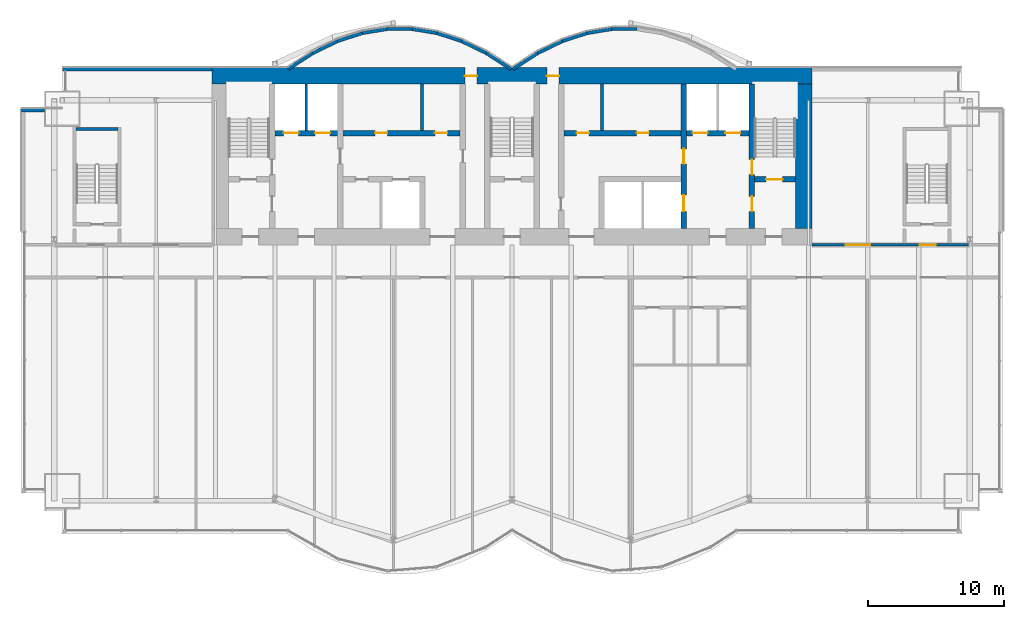
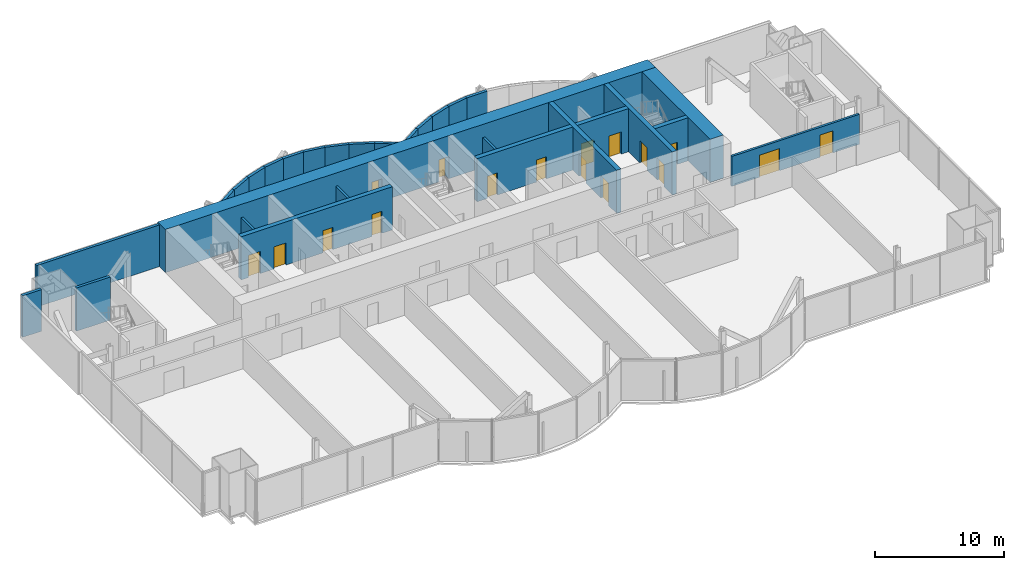
# One storey, part 17 of 21: 28 walls, 17 doors, 17 openings.
"""IFC4 building model written with IfcOpenShell, lengths in metres."""

from ifc_helpers import new_model, si_unit, direction, frame, frame_2d, origin, place, context, subcontext, project, spatial, rectangle, extrude, material, layer, layer_set, layer_usage, type_object, element, fill, save


model = new_model("IFC4")

# Units and contexts
model_context = context("Model", 3, precision=1e-05, world=origin(), true_north=direction((0.0, 1.0)))
body_context = subcontext(model_context, "Body", "Model", "MODEL_VIEW")
ifc_project = project(units=[si_unit("LENGTHUNIT", "METRE"), si_unit("AREAUNIT", "SQUARE_METRE"), si_unit("VOLUMEUNIT", "CUBIC_METRE"), si_unit("PLANEANGLEUNIT", "RADIAN"), si_unit("MASSUNIT", "GRAM", prefix="KILO")], contexts=[model_context])

# Site, building, storey
site_placement = place(None, origin())
site = spatial("IfcSite", under=ifc_project, at=site_placement, CompositionType="ELEMENT")
building_placement = place(site_placement, origin())
building = spatial("IfcBuilding", under=site, at=building_placement, Name="Bicima Exchange Tower", CompositionType="ELEMENT")
storey_placement = place(building_placement, frame((0.0, 0.0, 173.199951171875)))
storey = spatial("IfcBuildingStorey", under=building, at=storey_placement, Name="L38", CompositionType="ELEMENT", Elevation=173.199951171875)

# Wall
ifc_material_1 = material(Name="Gypsum board partition")
ifc_layer_1 = layer(ifc_material_1, 0.199951171875)
ifc_layer_set_1 = layer_set([ifc_layer_1], Name="Gypsum board partition")
wall_type_1 = type_object("IfcWallType", Name="Fire-rated gypsum partition 200 EI120", PredefinedType="PARTITIONING", material=ifc_layer_set_1)
wall_1_placement = place(storey_placement, frame((-15.10009765625, -4.60009765625, 0.0), z_axis=(0.0, 0.0, 1.0), x_axis=(0.0, 1.0, 0.0)))
element("IfcWall", 1, at=wall_1_placement, inside=storey, type_object=wall_type_1, Name="partition wall 9", PredefinedType="PARTITIONING", context=body_context, shape_type="SweptSolid", body=[
    extrude(rectangle(XDim=3.400146484375, YDim=0.199951171875, at=frame_2d((1.7001953125, 0.0))), origin(), (0.0, 0.0, 1.0), 2.84033203125),
])

# Wall, openings, doors
ifc_layer_2 = layer(ifc_material_1, 0.199951171875)
ifc_layer_set_2 = layer_set([ifc_layer_2], Name="Gypsum board partition")
wall_type_2 = type_object("IfcWallType", Name="Fire-rated gypsum partition 200 EI60", PredefinedType="PARTITIONING", material=ifc_layer_set_2)
wall_2_placement = place(storey_placement, frame((22.0, -13.0, 0.0), z_axis=(0.0, 0.0, 1.0), x_axis=(1.0, 0.0, 0.0)))
wall_2 = element("IfcWall", 2, at=wall_2_placement, inside=storey, type_object=wall_type_2, Name="partition wall 6", PredefinedType="PARTITIONING", context=body_context, shape_type="SweptSolid", body=[
    extrude(rectangle(XDim=11.47998046875, YDim=0.199951171875, at=frame_2d((5.739990234375, 0.0))), origin(), (0.0, 0.0, 1.0), 2.84033203125),
])
opening_1_placement = place(wall_2_placement, frame((7.89990234375, 0.0, 0.0)))
opening_1 = element("IfcOpeningElement", 3, at=opening_1_placement, cuts=wall_2, Name="Opening L38-003", PredefinedType="OPENING", context=body_context, shape_type="SweptSolid", body=[
    extrude(rectangle(XDim=1.199951171875, YDim=2.10009765625, at=frame_2d((0.60009765625, 1.050048828125))), frame((0.0, 0.11181640625, 0.0), z_axis=(0.0, -1.0, 0.0), x_axis=(1.0, 0.0, 0.0)), (0.0, 0.0, 1.0), 0.223876953125),
])
opening_2_placement = place(wall_2_placement, frame((2.5, 0.0, 0.0)))
opening_2 = element("IfcOpeningElement", 4, at=opening_2_placement, cuts=wall_2, Name="Opening L38-006", PredefinedType="OPENING", context=body_context, shape_type="SweptSolid", body=[
    extrude(rectangle(XDim=1.800048828125, YDim=2.10009765625, at=frame_2d((0.89990234375, 1.050048828125))), frame((0.0, 0.11181640625, 0.0), z_axis=(0.0, -1.0, 0.0), x_axis=(1.0, 0.0, 0.0)), (0.0, 0.0, 1.0), 0.223876953125),
])
ifc_material_2 = material(Name="Steel fire door leaf", Category="steel")
door_type_1 = type_object("IfcDoorType", Name="Door 1200 swing FD30S", OperationType="SINGLE_SWING_LEFT", PredefinedType="DOOR", material=ifc_material_2)
door_1_placement = place(opening_1_placement, origin())
door_1 = element("IfcDoor", 5, at=door_1_placement, inside=storey, type_object=door_type_1, Name="Door", OperationType="SINGLE_SWING_RIGHT", OverallHeight=2.10009765625, OverallWidth=1.199951171875, PredefinedType="DOOR", context=body_context, shape_type="SweptSolid", body=[
    extrude(rectangle(XDim=1.199951171875, YDim=2.10009765625, at=frame_2d((0.60009765625, 1.050048828125))), frame((0.0, 0.02490234375, 0.0), z_axis=(0.0, -1.0, 0.0), x_axis=(1.0, 0.0, 0.0)), (0.0, 0.0, 1.0), 0.050048828125),
])
fill(opening_1, door_1)
door_type_2 = type_object("IfcDoorType", Name="Door 1800 double swing FD30S", OperationType="DOUBLE_DOOR_SINGLE_SWING", PredefinedType="DOOR", material=ifc_material_2)
door_2_placement = place(opening_2_placement, origin())
door_2 = element("IfcDoor", 6, at=door_2_placement, inside=storey, type_object=door_type_2, Name="Door", OperationType="SINGLE_SWING_LEFT", OverallHeight=2.10009765625, OverallWidth=1.800048828125, PredefinedType="DOOR", context=body_context, shape_type="SweptSolid", body=[
    extrude(rectangle(XDim=1.800048828125, YDim=2.10009765625, at=frame_2d((0.89990234375, 1.050048828125))), frame((0.0, 0.02490234375, 0.0), z_axis=(0.0, -1.0, 0.0), x_axis=(1.0, 0.0, 0.0)), (0.0, 0.0, 1.0), 0.050048828125),
])
fill(opening_2, door_2)

# Walls
for number, where, z_axis, x_axis, name in (
    (7, (-6.60009765625, -4.60009765625, 0.0), (0.0, 0.0, 1.0), (0.0, 1.0, 0.0), "partition wall 13"),
    (8, (6.60009765625, -4.60009765625, 0.0), (0.0, 0.0, 1.0), (0.0, 1.0, 0.0), "partition wall 19"),
):
    element("IfcWall", number, at=place(storey_placement, frame(where, z_axis=z_axis, x_axis=x_axis)), inside=storey, type_object=wall_type_2, Name=name, PredefinedType="PARTITIONING", context=body_context, shape_type="SweptSolid", body=[
        extrude(rectangle(XDim=3.400146484375, YDim=0.199951171875, at=frame_2d((1.7001953125, 0.0))), origin(), (0.0, 0.0, 1.0), 2.84033203125),
    ])

# Wall, openings, doors
ifc_material_3 = material(Name="Concrete C50/60", Category="concrete")
ifc_layer_3 = layer(ifc_material_3, 1.199951171875)
ifc_layer_set_3 = layer_set([ifc_layer_3], Name="Concrete C50/60")
wall_type_3 = type_object("IfcWallType", Name="RC core wall 1200 C50/60", PredefinedType="SHEAR", material=ifc_layer_set_3)
wall_3_placement = place(storey_placement, frame((-22.0, -0.60009765625, 0.0), z_axis=(0.0, 0.0, 1.0), x_axis=(1.0, 0.0, 0.0)))
wall_3 = element("IfcWall", 9, at=wall_3_placement, inside=storey, type_object=wall_type_3, Name="Core wall north", PredefinedType="SHEAR", context=body_context, shape_type="SweptSolid", body=[
    extrude(rectangle(XDim=44.0, YDim=1.199951171875, at=frame_2d((22.0, 0.0))), origin(), (0.0, 0.0, 1.0), 4.10009765625),
])
opening_3_placement = place(wall_3_placement, frame((18.550048828125, 0.0, 0.0)))
opening_3 = element("IfcOpeningElement", 10, at=opening_3_placement, cuts=wall_3, Name="Opening L38-C17", PredefinedType="OPENING", context=body_context, shape_type="SweptSolid", body=[
    extrude(rectangle(XDim=0.89990234375, YDim=2.10009765625, at=frame_2d((0.449951171875, 1.050048828125))), frame((0.0, 0.61181640625, 0.0), z_axis=(0.0, -1.0, 0.0), x_axis=(1.0, 0.0, 0.0)), (0.0, 0.0, 1.0), 1.223876953125),
])
opening_4_placement = place(wall_3_placement, frame((24.550048828125, 0.0, 0.0)))
opening_4 = element("IfcOpeningElement", 11, at=opening_4_placement, cuts=wall_3, Name="Opening L38-C18", PredefinedType="OPENING", context=body_context, shape_type="SweptSolid", body=[
    extrude(rectangle(XDim=0.89990234375, YDim=2.10009765625, at=frame_2d((0.449951171875, 1.050048828125))), frame((0.0, 0.61181640625, 0.0), z_axis=(0.0, -1.0, 0.0), x_axis=(1.0, 0.0, 0.0)), (0.0, 0.0, 1.0), 1.223876953125),
])
door_type_3 = type_object("IfcDoorType", Name="Door 900 swing FD30S", OperationType="SINGLE_SWING_LEFT", PredefinedType="DOOR", material=ifc_material_2)
door_3_placement = place(opening_3_placement, origin())
door_3 = element("IfcDoor", 12, at=door_3_placement, inside=storey, type_object=door_type_3, Name="Core door", OperationType="SINGLE_SWING_LEFT", OverallHeight=2.10009765625, OverallWidth=0.89990234375, PredefinedType="DOOR", context=body_context, shape_type="SweptSolid", body=[
    extrude(rectangle(XDim=0.89990234375, YDim=2.10009765625, at=frame_2d((0.449951171875, 1.050048828125))), frame((0.0, 0.02490234375, 0.0), z_axis=(0.0, -1.0, 0.0), x_axis=(1.0, 0.0, 0.0)), (0.0, 0.0, 1.0), 0.050048828125),
])
fill(opening_3, door_3)
door_4_placement = place(opening_4_placement, origin())
door_4 = element("IfcDoor", 13, at=door_4_placement, inside=storey, type_object=door_type_3, Name="Core door", OperationType="SINGLE_SWING_LEFT", OverallHeight=2.10009765625, OverallWidth=0.89990234375, PredefinedType="DOOR", context=body_context, shape_type="SweptSolid", body=[
    extrude(rectangle(XDim=0.89990234375, YDim=2.10009765625, at=frame_2d((0.449951171875, 1.050048828125))), frame((0.0, 0.02490234375, 0.0), z_axis=(0.0, -1.0, 0.0), x_axis=(1.0, 0.0, 0.0)), (0.0, 0.0, 1.0), 0.050048828125),
])
fill(opening_4, door_4)

# Wall
wall_4_placement = place(storey_placement, frame((21.39990234375, -11.800048828125, 0.0), z_axis=(0.0, 0.0, 1.0), x_axis=(0.0, 1.0, 0.0)))
element("IfcWall", 14, at=wall_4_placement, inside=storey, type_object=wall_type_3, Name="Core wall east", PredefinedType="SHEAR", context=body_context, shape_type="SweptSolid", body=[
    extrude(rectangle(XDim=10.60009765625, YDim=1.199951171875, at=frame_2d((5.300048828125, 0.0))), origin(), (0.0, 0.0, 1.0), 4.10009765625),
])

# Wall, opening, door
ifc_layer_4 = layer(ifc_material_3, 0.39990234375)
ifc_layer_set_4 = layer_set([ifc_layer_4], Name="Concrete C50/60")
wall_type_4 = type_object("IfcWallType", Name="RC core wall 400 C50/60", PredefinedType="SHEAR", material=ifc_layer_set_4)
wall_5_placement = place(storey_placement, frame((17.800048828125, -8.199951171875, 0.0), z_axis=(0.0, 0.0, 1.0), x_axis=(1.0, 0.0, 0.0)))
wall_5 = element("IfcWall", 15, at=wall_5_placement, inside=storey, type_object=wall_type_4, Name="stair wall 5", PredefinedType="SHEAR", context=body_context, shape_type="SweptSolid", body=[
    extrude(rectangle(XDim=3.0, YDim=0.39990234375, at=frame_2d((1.5, 0.0))), origin(), (0.0, 0.0, 1.0), 4.10009765625),
])
opening_5_placement = place(wall_5_placement, frame((0.85009765625, 0.0, 0.0)))
opening_5 = element("IfcOpeningElement", 16, at=opening_5_placement, cuts=wall_5, Name="Opening L38-C04", PredefinedType="OPENING", context=body_context, shape_type="SweptSolid", body=[
    extrude(rectangle(XDim=1.199951171875, YDim=2.10009765625, at=frame_2d((0.60009765625, 1.050048828125))), frame((0.0, 0.2119140625, 0.0), z_axis=(0.0, -1.0, 0.0), x_axis=(1.0, 0.0, 0.0)), (0.0, 0.0, 1.0), 0.423828125),
])
door_type_4 = type_object("IfcDoorType", Name="Door 1200 swing FD60S", OperationType="SINGLE_SWING_LEFT", PredefinedType="DOOR", material=ifc_material_2)
door_5_placement = place(opening_5_placement, origin())
door_5 = element("IfcDoor", 17, at=door_5_placement, inside=storey, type_object=door_type_4, Name="Core door", OperationType="SINGLE_SWING_RIGHT", OverallHeight=2.10009765625, OverallWidth=1.199951171875, PredefinedType="DOOR", context=body_context, shape_type="SweptSolid", body=[
    extrude(rectangle(XDim=1.199951171875, YDim=2.10009765625, at=frame_2d((0.60009765625, 1.050048828125))), frame((0.0, 0.02490234375, 0.0), z_axis=(0.0, -1.0, 0.0), x_axis=(1.0, 0.0, 0.0)), (0.0, 0.0, 1.0), 0.050048828125),
])
fill(opening_5, door_5)

# Wall, openings, doors
wall_6_placement = place(storey_placement, frame((-17.39990234375, -4.800048828125, 0.0), z_axis=(0.0, 0.0, 1.0), x_axis=(1.0, 0.0, 0.0)))
wall_6 = element("IfcWall", 18, at=wall_6_placement, inside=storey, type_object=wall_type_4, Name="shear wall 6", PredefinedType="SHEAR", context=body_context, shape_type="SweptSolid", body=[
    extrude(rectangle(XDim=13.599853515625, YDim=0.39990234375, at=frame_2d((6.7998046875, 0.0))), origin(), (0.0, 0.0, 1.0), 4.10009765625),
])
opening_6_placement = place(wall_6_placement, frame((0.64990234375, 0.0, 0.0)))
opening_6 = element("IfcOpeningElement", 19, at=opening_6_placement, cuts=wall_6, Name="Opening LD-FF1-L38", PredefinedType="OPENING", context=body_context, shape_type="SweptSolid", body=[
    extrude(rectangle(XDim=1.10009765625, YDim=2.10009765625, at=frame_2d((0.550048828125, 1.050048828125))), frame((0.0, 0.2119140625, 0.0), z_axis=(0.0, -1.0, 0.0), x_axis=(1.0, 0.0, 0.0)), (0.0, 0.0, 1.0), 0.423828125),
])
opening_7_placement = place(wall_6_placement, frame((2.949951171875, 0.0, 0.0)))
opening_7 = element("IfcOpeningElement", 20, at=opening_7_placement, cuts=wall_6, Name="Opening LD-FF3-L38", PredefinedType="OPENING", context=body_context, shape_type="SweptSolid", body=[
    extrude(rectangle(XDim=1.10009765625, YDim=2.10009765625, at=frame_2d((0.550048828125, 1.050048828125))), frame((0.0, 0.2119140625, 0.0), z_axis=(0.0, -1.0, 0.0), x_axis=(1.0, 0.0, 0.0)), (0.0, 0.0, 1.0), 0.423828125),
])
opening_8_placement = place(wall_6_placement, frame((7.35009765625, 0.0, 0.0)))
opening_8 = element("IfcOpeningElement", 21, at=opening_8_placement, cuts=wall_6, Name="Opening L38-C12", PredefinedType="OPENING", context=body_context, shape_type="SweptSolid", body=[
    extrude(rectangle(XDim=0.89990234375, YDim=2.10009765625, at=frame_2d((0.449951171875, 1.050048828125))), frame((0.0, 0.2119140625, 0.0), z_axis=(0.0, -1.0, 0.0), x_axis=(1.0, 0.0, 0.0)), (0.0, 0.0, 1.0), 0.423828125),
])
opening_9_placement = place(wall_6_placement, frame((11.75, 0.0, 0.0)))
opening_9 = element("IfcOpeningElement", 22, at=opening_9_placement, cuts=wall_6, Name="Opening L38-C13", PredefinedType="OPENING", context=body_context, shape_type="SweptSolid", body=[
    extrude(rectangle(XDim=0.89990234375, YDim=2.10009765625, at=frame_2d((0.449951171875, 1.050048828125))), frame((0.0, 0.2119140625, 0.0), z_axis=(0.0, -1.0, 0.0), x_axis=(1.0, 0.0, 0.0)), (0.0, 0.0, 1.0), 0.423828125),
])
door_6_placement = place(opening_8_placement, origin())
door_6 = element("IfcDoor", 23, at=door_6_placement, inside=storey, type_object=door_type_3, Name="Core door", OperationType="SINGLE_SWING_RIGHT", OverallHeight=2.10009765625, OverallWidth=0.89990234375, PredefinedType="DOOR", context=body_context, shape_type="SweptSolid", body=[
    extrude(rectangle(XDim=0.89990234375, YDim=2.10009765625, at=frame_2d((0.449951171875, 1.050048828125))), frame((0.0, 0.02490234375, 0.0), z_axis=(0.0, -1.0, 0.0), x_axis=(1.0, 0.0, 0.0)), (0.0, 0.0, 1.0), 0.050048828125),
])
fill(opening_8, door_6)
door_7_placement = place(opening_9_placement, origin())
door_7 = element("IfcDoor", 24, at=door_7_placement, inside=storey, type_object=door_type_3, Name="Core door", OperationType="SINGLE_SWING_LEFT", OverallHeight=2.10009765625, OverallWidth=0.89990234375, PredefinedType="DOOR", context=body_context, shape_type="SweptSolid", body=[
    extrude(rectangle(XDim=0.89990234375, YDim=2.10009765625, at=frame_2d((0.449951171875, 1.050048828125))), frame((0.0, 0.02490234375, 0.0), z_axis=(0.0, -1.0, 0.0), x_axis=(1.0, 0.0, 0.0)), (0.0, 0.0, 1.0), 0.050048828125),
])
fill(opening_9, door_7)
ifc_material_4 = material(Name="Stainless steel", Category="steel")
door_type_5 = type_object("IfcDoorType", Name="Lift landing door 1100 sliding", OperationType="DOUBLE_DOOR_SLIDING", PredefinedType="DOOR", material=ifc_material_4)
door_8_placement = place(opening_6_placement, origin())
door_8 = element("IfcDoor", 25, at=door_8_placement, inside=storey, type_object=door_type_5, Name="Lift landing door FF1", OperationType="DOUBLE_DOOR_SLIDING", OverallHeight=2.10009765625, OverallWidth=1.10009765625, PredefinedType="DOOR", context=body_context, shape_type="SweptSolid", body=[
    extrude(rectangle(XDim=1.10009765625, YDim=2.10009765625, at=frame_2d((0.550048828125, 1.050048828125))), frame((0.0, 0.02490234375, 0.0), z_axis=(0.0, -1.0, 0.0), x_axis=(1.0, 0.0, 0.0)), (0.0, 0.0, 1.0), 0.050048828125),
])
fill(opening_6, door_8)
door_9_placement = place(opening_7_placement, origin())
door_9 = element("IfcDoor", 26, at=door_9_placement, inside=storey, type_object=door_type_5, Name="Lift landing door FF3", OperationType="DOUBLE_DOOR_SLIDING", OverallHeight=2.10009765625, OverallWidth=1.10009765625, PredefinedType="DOOR", context=body_context, shape_type="SweptSolid", body=[
    extrude(rectangle(XDim=1.10009765625, YDim=2.10009765625, at=frame_2d((0.550048828125, 1.050048828125))), frame((0.0, 0.02490234375, 0.0), z_axis=(0.0, -1.0, 0.0), x_axis=(1.0, 0.0, 0.0)), (0.0, 0.0, 1.0), 0.050048828125),
])
fill(opening_7, door_9)

wall_7_placement = place(storey_placement, frame((3.800048828125, -4.800048828125, 0.0), z_axis=(0.0, 0.0, 1.0), x_axis=(1.0, 0.0, 0.0)))
wall_7 = element("IfcWall", 27, at=wall_7_placement, inside=storey, type_object=wall_type_4, Name="shear wall 7", PredefinedType="SHEAR", context=body_context, shape_type="SweptSolid", body=[
    extrude(rectangle(XDim=13.599853515625, YDim=0.39990234375, at=frame_2d((6.7998046875, 0.0))), origin(), (0.0, 0.0, 1.0), 4.10009765625),
])
opening_10_placement = place(wall_7_placement, frame((9.449951171875, 0.0, 0.0)))
opening_10 = element("IfcOpeningElement", 28, at=opening_10_placement, cuts=wall_7, Name="Opening LD-FF2-L38", PredefinedType="OPENING", context=body_context, shape_type="SweptSolid", body=[
    extrude(rectangle(XDim=1.10009765625, YDim=2.10009765625, at=frame_2d((0.550048828125, 1.050048828125))), frame((0.0, 0.2119140625, 0.0), z_axis=(0.0, -1.0, 0.0), x_axis=(1.0, 0.0, 0.0)), (0.0, 0.0, 1.0), 0.423828125),
])
opening_11_placement = place(wall_7_placement, frame((11.85009765625, 0.0, 0.0)))
opening_11 = element("IfcOpeningElement", 29, at=opening_11_placement, cuts=wall_7, Name="Opening LD-SV1-L38", PredefinedType="OPENING", context=body_context, shape_type="SweptSolid", body=[
    extrude(rectangle(XDim=1.10009765625, YDim=2.10009765625, at=frame_2d((0.550048828125, 1.050048828125))), frame((0.0, 0.2119140625, 0.0), z_axis=(0.0, -1.0, 0.0), x_axis=(1.0, 0.0, 0.0)), (0.0, 0.0, 1.0), 0.423828125),
])
opening_12_placement = place(wall_7_placement, frame((0.949951171875, 0.0, 0.0)))
opening_12 = element("IfcOpeningElement", 30, at=opening_12_placement, cuts=wall_7, Name="Opening L38-C14", PredefinedType="OPENING", context=body_context, shape_type="SweptSolid", body=[
    extrude(rectangle(XDim=0.89990234375, YDim=2.10009765625, at=frame_2d((0.449951171875, 1.050048828125))), frame((0.0, 0.2119140625, 0.0), z_axis=(0.0, -1.0, 0.0), x_axis=(1.0, 0.0, 0.0)), (0.0, 0.0, 1.0), 0.423828125),
])
opening_13_placement = place(wall_7_placement, frame((5.35009765625, 0.0, 0.0)))
opening_13 = element("IfcOpeningElement", 31, at=opening_13_placement, cuts=wall_7, Name="Opening L38-C15", PredefinedType="OPENING", context=body_context, shape_type="SweptSolid", body=[
    extrude(rectangle(XDim=0.89990234375, YDim=2.10009765625, at=frame_2d((0.449951171875, 1.050048828125))), frame((0.0, 0.2119140625, 0.0), z_axis=(0.0, -1.0, 0.0), x_axis=(1.0, 0.0, 0.0)), (0.0, 0.0, 1.0), 0.423828125),
])
door_10_placement = place(opening_12_placement, origin())
door_10 = element("IfcDoor", 32, at=door_10_placement, inside=storey, type_object=door_type_3, Name="Core door", OperationType="SINGLE_SWING_RIGHT", OverallHeight=2.10009765625, OverallWidth=0.89990234375, PredefinedType="DOOR", context=body_context, shape_type="SweptSolid", body=[
    extrude(rectangle(XDim=0.89990234375, YDim=2.10009765625, at=frame_2d((0.449951171875, 1.050048828125))), frame((0.0, 0.02490234375, 0.0), z_axis=(0.0, -1.0, 0.0), x_axis=(1.0, 0.0, 0.0)), (0.0, 0.0, 1.0), 0.050048828125),
])
fill(opening_12, door_10)
door_11_placement = place(opening_13_placement, origin())
door_11 = element("IfcDoor", 33, at=door_11_placement, inside=storey, type_object=door_type_3, Name="Core door", OperationType="SINGLE_SWING_LEFT", OverallHeight=2.10009765625, OverallWidth=0.89990234375, PredefinedType="DOOR", context=body_context, shape_type="SweptSolid", body=[
    extrude(rectangle(XDim=0.89990234375, YDim=2.10009765625, at=frame_2d((0.449951171875, 1.050048828125))), frame((0.0, 0.02490234375, 0.0), z_axis=(0.0, -1.0, 0.0), x_axis=(1.0, 0.0, 0.0)), (0.0, 0.0, 1.0), 0.050048828125),
])
fill(opening_13, door_11)
door_12_placement = place(opening_10_placement, origin())
door_12 = element("IfcDoor", 34, at=door_12_placement, inside=storey, type_object=door_type_5, Name="Lift landing door FF2", OperationType="DOUBLE_DOOR_SLIDING", OverallHeight=2.10009765625, OverallWidth=1.10009765625, PredefinedType="DOOR", context=body_context, shape_type="SweptSolid", body=[
    extrude(rectangle(XDim=1.10009765625, YDim=2.10009765625, at=frame_2d((0.550048828125, 1.050048828125))), frame((0.0, 0.02490234375, 0.0), z_axis=(0.0, -1.0, 0.0), x_axis=(1.0, 0.0, 0.0)), (0.0, 0.0, 1.0), 0.050048828125),
])
fill(opening_10, door_12)
door_13_placement = place(opening_11_placement, origin())
door_13 = element("IfcDoor", 35, at=door_13_placement, inside=storey, type_object=door_type_5, Name="Lift landing door SV1", OperationType="DOUBLE_DOOR_SLIDING", OverallHeight=2.10009765625, OverallWidth=1.10009765625, PredefinedType="DOOR", context=body_context, shape_type="SweptSolid", body=[
    extrude(rectangle(XDim=1.10009765625, YDim=2.10009765625, at=frame_2d((0.550048828125, 1.050048828125))), frame((0.0, 0.02490234375, 0.0), z_axis=(0.0, -1.0, 0.0), x_axis=(1.0, 0.0, 0.0)), (0.0, 0.0, 1.0), 0.050048828125),
])
fill(opening_11, door_13)

wall_8_placement = place(storey_placement, frame((12.60009765625, -11.800048828125, 0.0), z_axis=(0.0, 0.0, 1.0), x_axis=(0.0, 1.0, 0.0)))
wall_8 = element("IfcWall", 36, at=wall_8_placement, inside=storey, type_object=wall_type_4, Name="shear wall 21", PredefinedType="SHEAR", context=body_context, shape_type="SweptSolid", body=[
    extrude(rectangle(XDim=10.60009765625, YDim=0.39990234375, at=frame_2d((5.300048828125, 0.0))), origin(), (0.0, 0.0, 1.0), 4.10009765625),
])
opening_14_placement = place(wall_8_placement, frame((1.25, 0.0, 0.0)))
opening_14 = element("IfcOpeningElement", 37, at=opening_14_placement, cuts=wall_8, Name="Opening LD-MB2-L38", PredefinedType="OPENING", context=body_context, shape_type="SweptSolid", body=[
    extrude(rectangle(XDim=1.199951171875, YDim=2.10009765625, at=frame_2d((0.60009765625, 1.050048828125))), frame((0.0, 0.2119140625, 0.0), z_axis=(0.0, -1.0, 0.0), x_axis=(1.0, 0.0, 0.0)), (0.0, 0.0, 1.0), 0.423828125),
])
opening_15_placement = place(wall_8_placement, frame((4.75, 0.0, 0.0)))
opening_15 = element("IfcOpeningElement", 38, at=opening_15_placement, cuts=wall_8, Name="Opening L38-C09", PredefinedType="OPENING", context=body_context, shape_type="SweptSolid", body=[
    extrude(rectangle(XDim=1.10009765625, YDim=2.10009765625, at=frame_2d((0.550048828125, 1.050048828125))), frame((0.0, 0.2119140625, 0.0), z_axis=(0.0, -1.0, 0.0), x_axis=(1.0, 0.0, 0.0)), (0.0, 0.0, 1.0), 0.423828125),
])
door_type_6 = type_object("IfcDoorType", Name="Door 1100 swing FD60S", OperationType="SINGLE_SWING_LEFT", PredefinedType="DOOR", material=ifc_material_2)
door_14_placement = place(opening_15_placement, frame((1.10009765625, 0.0, 0.0), z_axis=(0.0, 0.0, 1.0), x_axis=(-1.0, 0.0, 0.0)))
door_14 = element("IfcDoor", 39, at=door_14_placement, inside=storey, type_object=door_type_6, Name="Core door", OperationType="SINGLE_SWING_RIGHT", OverallHeight=2.10009765625, OverallWidth=1.10009765625, PredefinedType="DOOR", context=body_context, shape_type="SweptSolid", body=[
    extrude(rectangle(XDim=1.10009765625, YDim=2.10009765625, at=frame_2d((0.550048828125, 1.050048828125))), frame((0.0, 0.02490234375, 0.0), z_axis=(0.0, -1.0, 0.0), x_axis=(1.0, 0.0, 0.0)), (0.0, 0.0, 1.0), 0.050048828125),
])
fill(opening_15, door_14)
door_type_7 = type_object("IfcDoorType", Name="Lift landing door 1200 sliding", OperationType="DOUBLE_DOOR_SLIDING", PredefinedType="DOOR", material=ifc_material_4)
door_15_placement = place(opening_14_placement, origin())
door_15 = element("IfcDoor", 40, at=door_15_placement, inside=storey, type_object=door_type_7, Name="Lift landing door MB2", OperationType="DOUBLE_DOOR_SLIDING", OverallHeight=2.10009765625, OverallWidth=1.199951171875, PredefinedType="DOOR", context=body_context, shape_type="SweptSolid", body=[
    extrude(rectangle(XDim=1.199951171875, YDim=2.10009765625, at=frame_2d((0.60009765625, 1.050048828125))), frame((0.0, 0.02490234375, 0.0), z_axis=(0.0, -1.0, 0.0), x_axis=(1.0, 0.0, 0.0)), (0.0, 0.0, 1.0), 0.050048828125),
])
fill(opening_14, door_15)

wall_9_placement = place(storey_placement, frame((17.60009765625, -11.800048828125, 0.0), z_axis=(0.0, 0.0, 1.0), x_axis=(0.0, 1.0, 0.0)))
wall_9 = element("IfcWall", 41, at=wall_9_placement, inside=storey, type_object=wall_type_4, Name="stair wall 23", PredefinedType="SHEAR", context=body_context, shape_type="SweptSolid", body=[
    extrude(rectangle(XDim=10.60009765625, YDim=0.39990234375, at=frame_2d((5.300048828125, 0.0))), origin(), (0.0, 0.0, 1.0), 4.10009765625),
])
opening_16_placement = place(wall_9_placement, frame((1.25, 0.0, 0.0)))
opening_16 = element("IfcOpeningElement", 42, at=opening_16_placement, cuts=wall_9, Name="Opening L38-C05", PredefinedType="OPENING", context=body_context, shape_type="SweptSolid", body=[
    extrude(rectangle(XDim=1.10009765625, YDim=2.10009765625, at=frame_2d((0.550048828125, 1.050048828125))), frame((0.0, 0.2119140625, 0.0), z_axis=(0.0, -1.0, 0.0), x_axis=(1.0, 0.0, 0.0)), (0.0, 0.0, 1.0), 0.423828125),
])
opening_17_placement = place(wall_9_placement, frame((3.949951171875, 0.0, 0.0)))
opening_17 = element("IfcOpeningElement", 43, at=opening_17_placement, cuts=wall_9, Name="Opening L38-C08", PredefinedType="OPENING", context=body_context, shape_type="SweptSolid", body=[
    extrude(rectangle(XDim=1.10009765625, YDim=2.10009765625, at=frame_2d((0.550048828125, 1.050048828125))), frame((0.0, 0.2119140625, 0.0), z_axis=(0.0, -1.0, 0.0), x_axis=(1.0, 0.0, 0.0)), (0.0, 0.0, 1.0), 0.423828125),
])
door_16_placement = place(opening_16_placement, origin())
door_16 = element("IfcDoor", 44, at=door_16_placement, inside=storey, type_object=door_type_6, Name="Core door", OperationType="SINGLE_SWING_LEFT", OverallHeight=2.10009765625, OverallWidth=1.10009765625, PredefinedType="DOOR", context=body_context, shape_type="SweptSolid", body=[
    extrude(rectangle(XDim=1.10009765625, YDim=2.10009765625, at=frame_2d((0.550048828125, 1.050048828125))), frame((0.0, 0.02490234375, 0.0), z_axis=(0.0, -1.0, 0.0), x_axis=(1.0, 0.0, 0.0)), (0.0, 0.0, 1.0), 0.050048828125),
])
fill(opening_16, door_16)
door_17_placement = place(opening_17_placement, origin())
door_17 = element("IfcDoor", 45, at=door_17_placement, inside=storey, type_object=door_type_6, Name="Core door", OperationType="SINGLE_SWING_RIGHT", OverallHeight=2.10009765625, OverallWidth=1.10009765625, PredefinedType="DOOR", context=body_context, shape_type="SweptSolid", body=[
    extrude(rectangle(XDim=1.10009765625, YDim=2.10009765625, at=frame_2d((0.550048828125, 1.050048828125))), frame((0.0, 0.02490234375, 0.0), z_axis=(0.0, -1.0, 0.0), x_axis=(1.0, 0.0, 0.0)), (0.0, 0.0, 1.0), 0.050048828125),
])
fill(opening_17, door_17)

# Walls
ifc_layer_5 = layer(ifc_material_3, 0.25)
ifc_layer_set_5 = layer_set([ifc_layer_5], Name="Concrete C50/60")
wall_type_5 = type_object("IfcWallType", Name="RC stair enclosure wall 250 C50/60", PredefinedType="SHEAR", material=ifc_layer_set_5)
wall_10_placement = place(storey_placement, frame((-31.97509765625, -4.5, 0.0), z_axis=(0.0, 0.0, 1.0), x_axis=(1.0, 0.0, 0.0)))
element("IfcWall", 46, at=wall_10_placement, inside=storey, type_object=wall_type_5, Name="West end exit stair wall N", PredefinedType="SHEAR", context=body_context, shape_type="SweptSolid", body=[
    extrude(rectangle(XDim=3.050048828125, YDim=0.25, at=frame_2d((1.52490234375, 0.0))), origin(), (0.0, 0.0, 1.0), 4.10009765625),
])
ifc_material_5 = material(Name="Concrete C40/50", Category="concrete")
ifc_layer_6 = layer(ifc_material_5, 0.25)
ifc_layer_set_6 = layer_set([ifc_layer_6], Name="Concrete C40/50")
ifc_layer_usage = layer_usage(ifc_layer_set_6, "AXIS2", "POSITIVE", -0.125)
wall_type_6 = type_object("IfcWallType", Name="Rear backup wall 250", PredefinedType="STANDARD", material=ifc_layer_set_6)
wall_11_placement = place(storey_placement, frame((9.166748046875, 2.837890625, 0.0), z_axis=(0.0, 0.0, 1.0), x_axis=(-1.0, 0.0, 0.0)))
element("IfcWall", 47, at=wall_11_placement, inside=storey, type_object=wall_type_6, material=ifc_layer_usage, Name="Rear backup wall L38 6", PredefinedType="STANDARD", context=body_context, shape_type="SweptSolid", body=[
    extrude(rectangle(XDim=1.83349609375, YDim=0.25, at=frame_2d((0.916748046875, 0.0))), origin(), (0.0, 0.0, 1.0), 3.949951171875),
])
wall_12_placement = place(storey_placement, frame((7.353271484375, 2.839599609375, 0.0), z_axis=(0.0, 0.0, 1.0), x_axis=(-0.987181718931, -0.159600293885, 0.0)))
element("IfcWall", 48, at=wall_12_placement, inside=storey, type_object=wall_type_6, material=ifc_layer_usage, Name="Rear backup wall L38 7", PredefinedType="STANDARD", context=body_context, shape_type="SweptSolid", body=[
    extrude(rectangle(XDim=1.857177734375, YDim=0.25, at=frame_2d((0.9287109375, 0.0))), origin(), (0.0, 0.0, 1.0), 3.949951171875),
])
wall_13_placement = place(storey_placement, frame((5.538330078125, 2.5478515625, 0.0), z_axis=(0.0, 0.0, 1.0), x_axis=(-0.951495806175, -0.307661714928, 0.0)))
element("IfcWall", 49, at=wall_13_placement, inside=storey, type_object=wall_type_6, material=ifc_layer_usage, Name="Rear backup wall L38 8", PredefinedType="STANDARD", context=body_context, shape_type="SweptSolid", body=[
    extrude(rectangle(XDim=1.9267578125, YDim=0.25, at=frame_2d((0.96337890625, 0.0))), origin(), (0.0, 0.0, 1.0), 3.949951171875),
])
wall_14_placement = place(storey_placement, frame((3.72119140625, 1.961669921875, 0.0), z_axis=(0.0, 0.0, 1.0), x_axis=(-0.89982408427, -0.436252928206, 0.0)))
element("IfcWall", 50, at=wall_14_placement, inside=storey, type_object=wall_type_6, material=ifc_layer_usage, Name="Rear backup wall L38 9", PredefinedType="STANDARD", context=body_context, shape_type="SweptSolid", body=[
    extrude(rectangle(XDim=2.03759765625, YDim=0.25, at=frame_2d((1.018798828125, 0.0))), origin(), (0.0, 0.0, 1.0), 3.949951171875),
])
for number, where, z_axis, x_axis, name in (
    (51, (1.901123046875, 1.080078125, 0.0), (0.0, 0.0, 1.0), (-0.83981312244, -0.542875602121, 0.0), "Rear backup wall L38 10"),
    (52, (-0.06787109375, -0.10498046875, 0.0), (0.0, 0.0, 1.0), (-0.83981312244, 0.542875602121, 0.0), "Rear backup wall L38 11"),
):
    element("IfcWall", number, at=place(storey_placement, frame(where, z_axis=z_axis, x_axis=x_axis)), inside=storey, type_object=wall_type_6, material=ifc_layer_usage, Name=name, PredefinedType="STANDARD", context=body_context, shape_type="SweptSolid", body=[
        extrude(rectangle(XDim=2.182861328125, YDim=0.25, at=frame_2d((1.09130859375, 0.0))), origin(), (0.0, 0.0, 1.0), 3.949951171875),
    ])
wall_15_placement = place(storey_placement, frame((-1.8876953125, 1.07275390625, 0.0), z_axis=(0.0, 0.0, 1.0), x_axis=(-0.89982408427, 0.436252928206, 0.0)))
element("IfcWall", 53, at=wall_15_placement, inside=storey, type_object=wall_type_6, material=ifc_layer_usage, Name="Rear backup wall L38 12", PredefinedType="STANDARD", context=body_context, shape_type="SweptSolid", body=[
    extrude(rectangle(XDim=2.03759765625, YDim=0.25, at=frame_2d((1.018798828125, 0.0))), origin(), (0.0, 0.0, 1.0), 3.949951171875),
])
wall_16_placement = place(storey_placement, frame((-3.705078125, 1.955078125, 0.0), z_axis=(0.0, 0.0, 1.0), x_axis=(-0.951495806175, 0.307661714928, 0.0)))
element("IfcWall", 54, at=wall_16_placement, inside=storey, type_object=wall_type_6, material=ifc_layer_usage, Name="Rear backup wall L38 13", PredefinedType="STANDARD", context=body_context, shape_type="SweptSolid", body=[
    extrude(rectangle(XDim=1.9267578125, YDim=0.25, at=frame_2d((0.96337890625, 0.0))), origin(), (0.0, 0.0, 1.0), 3.949951171875),
])
wall_17_placement = place(storey_placement, frame((-5.52001953125, 2.543212890625, 0.0), z_axis=(0.0, 0.0, 1.0), x_axis=(-0.987181718931, 0.159600293885, 0.0)))
element("IfcWall", 55, at=wall_17_placement, inside=storey, type_object=wall_type_6, material=ifc_layer_usage, Name="Rear backup wall L38 14", PredefinedType="STANDARD", context=body_context, shape_type="SweptSolid", body=[
    extrude(rectangle(XDim=1.857177734375, YDim=0.25, at=frame_2d((0.9287109375, 0.0))), origin(), (0.0, 0.0, 1.0), 3.949951171875),
])
wall_18_placement = place(storey_placement, frame((-7.333251953125, 2.837890625, 0.0), z_axis=(0.0, 0.0, 1.0), x_axis=(-1.0, 0.0, 0.0)))
element("IfcWall", 56, at=wall_18_placement, inside=storey, type_object=wall_type_6, material=ifc_layer_usage, Name="Rear backup wall L38 15", PredefinedType="STANDARD", context=body_context, shape_type="SweptSolid", body=[
    extrude(rectangle(XDim=1.83349609375, YDim=0.25, at=frame_2d((0.916748046875, 0.0))), origin(), (0.0, 0.0, 1.0), 3.949951171875),
])
wall_19_placement = place(storey_placement, frame((-9.146728515625, 2.839599609375, 0.0), z_axis=(0.0, 0.0, 1.0), x_axis=(-0.987181718931, -0.159600293885, 0.0)))
element("IfcWall", 57, at=wall_19_placement, inside=storey, type_object=wall_type_6, material=ifc_layer_usage, Name="Rear backup wall L38 16", PredefinedType="STANDARD", context=body_context, shape_type="SweptSolid", body=[
    extrude(rectangle(XDim=1.857177734375, YDim=0.25, at=frame_2d((0.9287109375, 0.0))), origin(), (0.0, 0.0, 1.0), 3.949951171875),
])
wall_20_placement = place(storey_placement, frame((-10.961669921875, 2.5478515625, 0.0), z_axis=(0.0, 0.0, 1.0), x_axis=(-0.951495806175, -0.307661714928, 0.0)))
element("IfcWall", 58, at=wall_20_placement, inside=storey, type_object=wall_type_6, material=ifc_layer_usage, Name="Rear backup wall L38 17", PredefinedType="STANDARD", context=body_context, shape_type="SweptSolid", body=[
    extrude(rectangle(XDim=1.9267578125, YDim=0.25, at=frame_2d((0.96337890625, 0.0))), origin(), (0.0, 0.0, 1.0), 3.949951171875),
])
wall_21_placement = place(storey_placement, frame((-12.77880859375, 1.961669921875, 0.0), z_axis=(0.0, 0.0, 1.0), x_axis=(-0.89982408427, -0.436252928206, 0.0)))
element("IfcWall", 59, at=wall_21_placement, inside=storey, type_object=wall_type_6, material=ifc_layer_usage, Name="Rear backup wall L38 18", PredefinedType="STANDARD", context=body_context, shape_type="SweptSolid", body=[
    extrude(rectangle(XDim=2.03759765625, YDim=0.25, at=frame_2d((1.018798828125, 0.0))), origin(), (0.0, 0.0, 1.0), 3.949951171875),
])
wall_22_placement = place(storey_placement, frame((-14.598876953125, 1.080078125, 0.0), z_axis=(0.0, 0.0, 1.0), x_axis=(-0.83981312244, -0.542875602121, 0.0)))
element("IfcWall", 60, at=wall_22_placement, inside=storey, type_object=wall_type_6, material=ifc_layer_usage, Name="Rear backup wall L38 19", PredefinedType="STANDARD", context=body_context, shape_type="SweptSolid", body=[
    extrude(rectangle(XDim=2.182861328125, YDim=0.25, at=frame_2d((1.09130859375, 0.0))), origin(), (0.0, 0.0, 1.0), 3.949951171875),
])
wall_23_placement = place(storey_placement, frame((-22.0, -0.125, 0.0), z_axis=(0.0, 0.0, 1.0), x_axis=(-1.0, 0.0, 0.0)))
element("IfcWall", 61, at=wall_23_placement, inside=storey, type_object=wall_type_6, material=ifc_layer_usage, Name="Rear backup wall L38 20", PredefinedType="STANDARD", context=body_context, shape_type="SweptSolid", body=[
    extrude(rectangle(XDim=11.0, YDim=0.25, at=frame_2d((5.5, 0.0))), origin(), (0.0, 0.0, 1.0), 3.949951171875),
])
wall_24_placement = place(storey_placement, frame((-34.300048828125, -3.125, 0.0), z_axis=(0.0, 0.0, 1.0), x_axis=(-1.0, 0.0, 0.0)))
element("IfcWall", 62, at=wall_24_placement, inside=storey, type_object=wall_type_6, material=ifc_layer_usage, Name="Rear backup wall L38 22", PredefinedType="STANDARD", context=body_context, shape_type="SweptSolid", body=[
    extrude(rectangle(XDim=1.699951171875, YDim=0.25, at=frame_2d((0.85009765625, 0.0))), origin(), (0.0, 0.0, 1.0), 3.949951171875),
])

save(model, "model.ifc")
